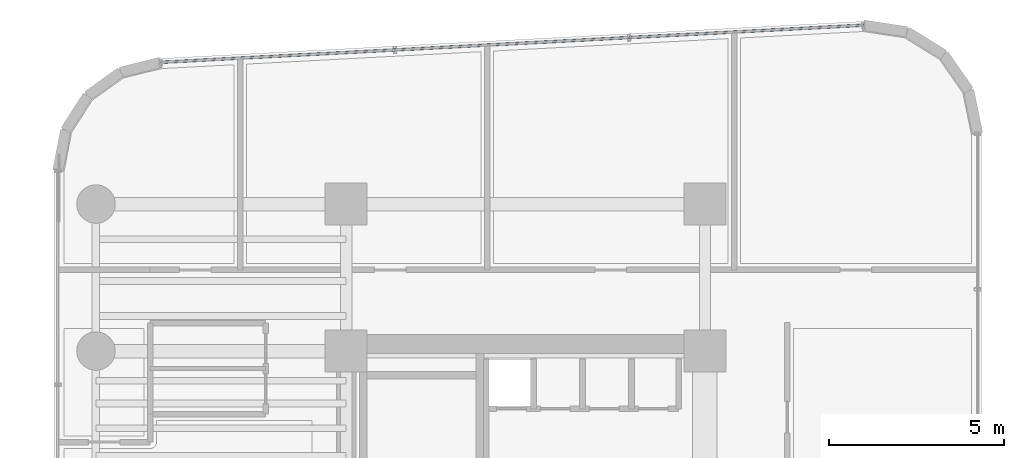
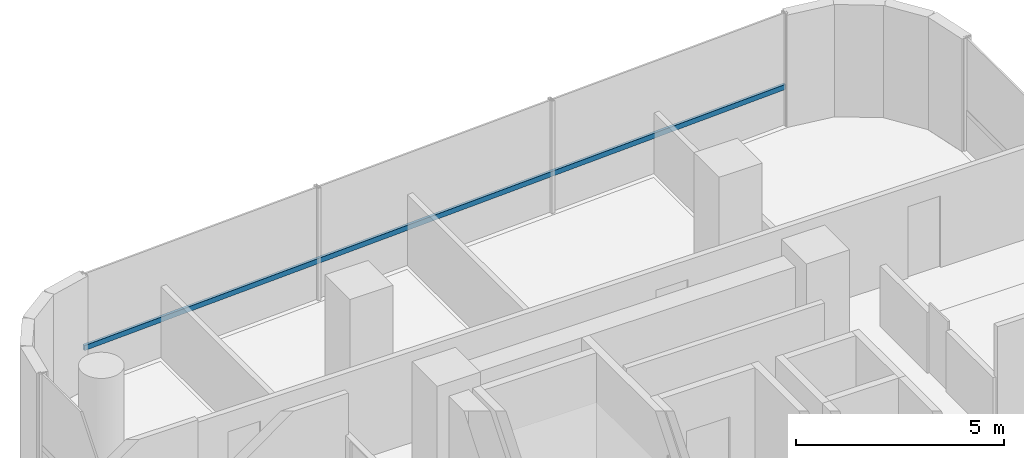
# One storey, part 21 of 35: 1 member, 1 element without a shape of its own.
"""IFC4 building model written with IfcOpenShell, lengths in metres."""

from ifc_helpers import new_model, si_unit, direction, frame, origin, origin_2d, place, context, subcontext, project, spatial, hollow_rectangle, extrude, source, transform, mapped, material, material_profile, profile_set, type_object, element, aggregate, save


model = new_model("IFC4")

# Units and contexts
model_context = context("Model", 3, precision=1e-05, world=origin(), true_north=direction((0.0, 1.0)))
body_context = subcontext(model_context, "Body", "Model", "MODEL_VIEW")
ifc_project = project(units=[si_unit("LENGTHUNIT", "METRE"), si_unit("AREAUNIT", "SQUARE_METRE"), si_unit("VOLUMEUNIT", "CUBIC_METRE"), si_unit("PLANEANGLEUNIT", "RADIAN"), si_unit("MASSUNIT", "GRAM", prefix="KILO")], contexts=[model_context])

# Site, building, storey
site_placement = place(None, origin())
site = spatial("IfcSite", under=ifc_project, at=site_placement, CompositionType="ELEMENT")
building_placement = place(site_placement, origin())
building = spatial("IfcBuilding", under=site, at=building_placement, Name="Valdorenza Pilgrim Sanctuary Tower", CompositionType="ELEMENT")
storey_placement = place(building_placement, frame((0.0, 0.0, 168.60009765625)))
storey = spatial("IfcBuildingStorey", under=building, at=storey_placement, Name="L43", CompositionType="ELEMENT", Elevation=168.60009765625)

# Curtain wall, member
ifc_material_1 = material(Name="Curtain-wall IGU glazing", Category="glass")
curtain_wall_type = type_object("IfcCurtainWallType", Name="CW-SYS-02", PredefinedType="NOTDEFINED", material=ifc_material_1)
curtain_wall_placement = place(storey_placement, origin())
curtain_wall = element("IfcCurtainWall", 1, at=curtain_wall_placement, inside=storey, type_object=curtain_wall_type, Name="L43 Curtain Wall CW-L43-1-6", PredefinedType="NOTDEFINED")
ifc_material_2 = material(Name="Anodised aluminium AW-6060", Category="aluminium")
ifc_material_profile = material_profile(ifc_material_2, hollow_rectangle(XDim=0.074951171875, YDim=0.14990234375, WallThickness=0.00390625, at=origin_2d()), Name="ALU-T 150x75x4")
ifc_profile_set = profile_set([ifc_material_profile], Name="Anodised aluminium AW-6060")
member_type = type_object("IfcMemberType", Name="CW-TRN-02", PredefinedType="USERDEFINED", material=ifc_profile_set)
shared_shape = source(origin(), body_context, "Body", "SweptSolid", [
    extrude(hollow_rectangle(XDim=0.074951171875, YDim=0.14990234375, WallThickness=0.00390625, at=origin_2d()), origin(), (0.0, 0.0, 1.0), 20.106201171875),
])
member_placement = place(storey_placement, frame((-27.952392578125, 18.850830078125, 1.119873046875), z_axis=(0.998607243081, 0.052759587441, 0.0), x_axis=(-0.052759587441, 0.998607243081, 0.0)))
member = element("IfcMember", 2, at=member_placement, type_object=member_type, Name="CW-L43-1-6 Transom 1", ObjectType="TRANSOM", PredefinedType="USERDEFINED", context=body_context, shape_type="MappedRepresentation", body=[
    mapped(shared_shape, transform((0.0, 0.0, 0.0), x_axis=(1.0, 0.0, 0.0), y_axis=(0.0, 1.0, 0.0), z_axis=(0.0, 0.0, 1.0), scale=1.0)),
])
aggregate(curtain_wall, [member])

save(model, "model.ifc")
